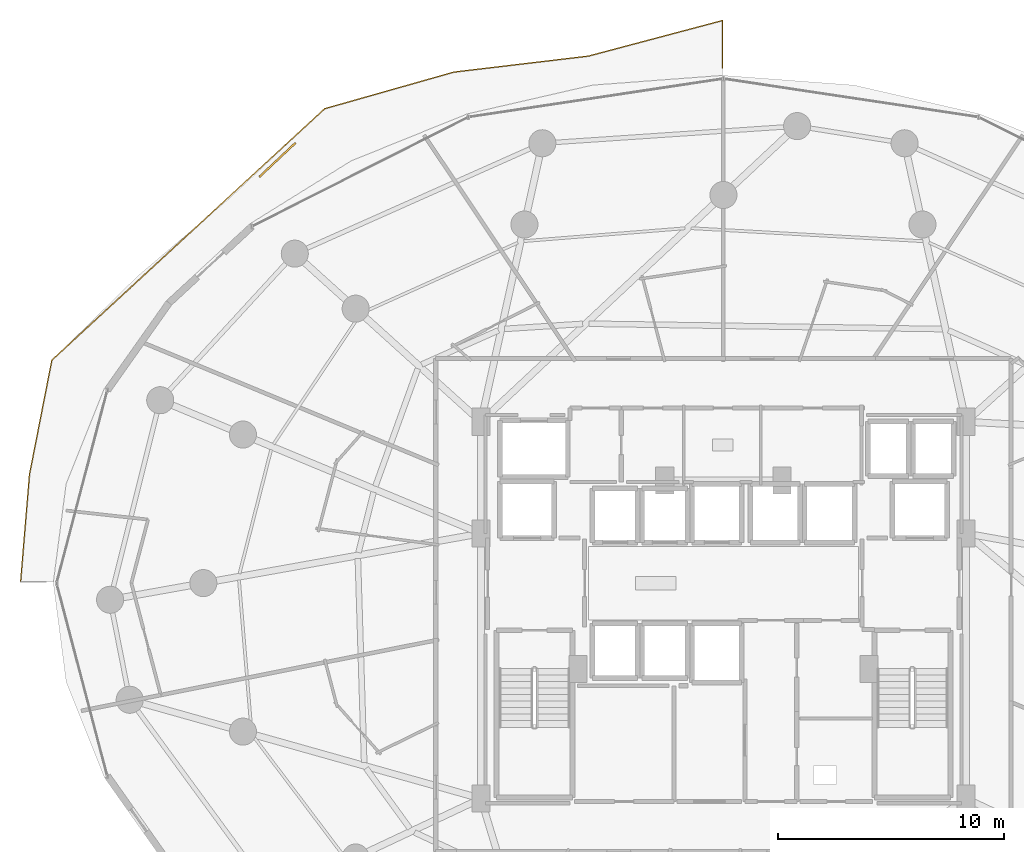
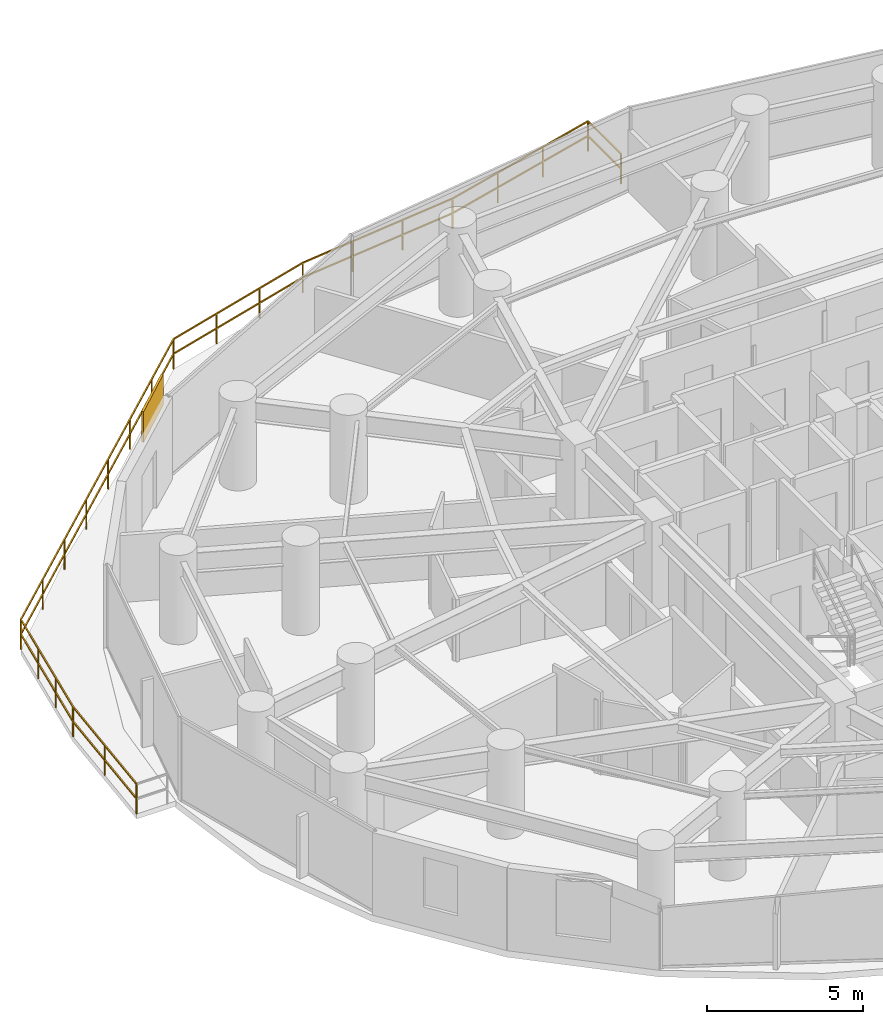
# One storey, part 34 of 35: 1 railing, 1 shading device.
"""IFC4 building model written with IfcOpenShell, lengths in metres."""

from ifc_helpers import new_model, si_unit, direction, frame, origin, origin_2d, place, context, subcontext, project, spatial, rectangle, extrude, material, type_object, element, save


model = new_model("IFC4")

# Units and contexts
model_context = context("Model", 3, precision=1e-05, world=origin(), true_north=direction((0.0, 1.0)))
body_context = subcontext(model_context, "Body", "Model", "MODEL_VIEW")
ifc_project = project(units=[si_unit("LENGTHUNIT", "METRE"), si_unit("AREAUNIT", "SQUARE_METRE"), si_unit("VOLUMEUNIT", "CUBIC_METRE"), si_unit("PLANEANGLEUNIT", "RADIAN"), si_unit("MASSUNIT", "GRAM", prefix="KILO")], contexts=[model_context])

# Site, building, storey
site_placement = place(None, origin())
site = spatial("IfcSite", under=ifc_project, at=site_placement, CompositionType="ELEMENT")
building_placement = place(site_placement, origin())
building = spatial("IfcBuilding", under=site, at=building_placement, Name="Vorneva Point Tower", CompositionType="ELEMENT")
storey_placement = place(building_placement, frame((0.0, 0.0, 52.0)))
storey = spatial("IfcBuildingStorey", under=building, at=storey_placement, Name="L13", CompositionType="ELEMENT", Elevation=52.0)

# Railing
ifc_material = material(Name="Pale anodised aluminium", Category="aluminium")
railing_type = type_object("IfcRailingType", Name="RL-BAL-1200", PredefinedType="BALUSTRADE", material=ifc_material)
railing_placement = place(storey_placement, frame((37.949951171875, 48.817138671875, 0.0)))
element("IfcRailing", 1, at=railing_placement, inside=storey, type_object=railing_type, Name="L13 Wave Balcony Balustrade NW.2", PredefinedType="BALUSTRADE", context=body_context, shape_type="SweptSolid", body=[
    extrude(rectangle(XDim=0.048095703125, YDim=0.048095703125, at=origin_2d()), frame((0.0, 0.0, 1.17578125), z_axis=(0.0, 1.0, 0.0), x_axis=(-1.0, 0.0, 0.0)), (0.0, 0.0, 1.0), 2.114501953125),
    extrude(rectangle(XDim=0.048095703125, YDim=0.048095703125, at=origin_2d()), frame((0.0, 0.0, 0.60009765625), z_axis=(0.0, 1.0, 0.0), x_axis=(-1.0, 0.0, 0.0)), (0.0, 0.0, 1.0), 2.114501953125),
    extrude(rectangle(XDim=0.048095703125, YDim=0.048095703125, at=origin_2d()), frame((0.0, 2.114501953125, 1.17578125), z_axis=(-0.966571808825, -0.256396057663, 0.0), x_axis=(0.256396057663, -0.966571808825, 0.0)), (0.0, 0.0, 1.0), 6.1435546875),
    extrude(rectangle(XDim=0.048095703125, YDim=0.048095703125, at=origin_2d()), frame((0.0, 2.114501953125, 0.60009765625), z_axis=(-0.966571808825, -0.256396057663, 0.0), x_axis=(0.256396057663, -0.966571808825, 0.0)), (0.0, 0.0, 1.0), 6.1435546875),
    extrude(rectangle(XDim=0.048095703125, YDim=0.048095703125, at=origin_2d()), frame((-5.938232421875, 0.539306640625, 1.17578125), z_axis=(-0.993006335019, -0.118061080008, 0.0), x_axis=(0.118061080008, -0.993006335019, 0.0)), (0.0, 0.0, 1.0), 6.003173828125),
    extrude(rectangle(XDim=0.048095703125, YDim=0.048095703125, at=origin_2d()), frame((-5.938232421875, 0.539306640625, 0.60009765625), z_axis=(-0.993006335019, -0.118061080008, 0.0), x_axis=(0.118061080008, -0.993006335019, 0.0)), (0.0, 0.0, 1.0), 6.003173828125),
    extrude(rectangle(XDim=0.048095703125, YDim=0.048095703125, at=origin_2d()), frame((-11.8994140625, -0.16943359375, 1.17578125), z_axis=(-0.962077917803, -0.272774779032, 0.0), x_axis=(0.272774779032, -0.962077917803, 0.0)), (0.0, 0.0, 1.0), 5.94921875),
    extrude(rectangle(XDim=0.048095703125, YDim=0.048095703125, at=origin_2d()), frame((-11.8994140625, -0.16943359375, 0.60009765625), z_axis=(-0.962077917803, -0.272774779032, 0.0), x_axis=(0.272774779032, -0.962077917803, 0.0)), (0.0, 0.0, 1.0), 5.94921875),
    extrude(rectangle(XDim=0.048095703125, YDim=0.048095703125, at=origin_2d()), frame((-17.623046875, -1.792236328125, 1.17578125), z_axis=(-0.73534569508, -0.677692193202, 0.0), x_axis=(0.677692193202, -0.73534569508, 0.0)), (0.0, 0.0, 1.0), 16.443115234375),
    extrude(rectangle(XDim=0.048095703125, YDim=0.048095703125, at=origin_2d()), frame((-17.623046875, -1.792236328125, 0.60009765625), z_axis=(-0.73534569508, -0.677692193202, 0.0), x_axis=(0.677692193202, -0.73534569508, 0.0)), (0.0, 0.0, 1.0), 16.443115234375),
    extrude(rectangle(XDim=0.048095703125, YDim=0.048095703125, at=origin_2d()), frame((-29.71435546875, -12.935546875, 1.17578125), z_axis=(-0.192193840782, -0.981356982736, 0.0), x_axis=(0.981356982736, -0.192193840782, 0.0)), (0.0, 0.0, 1.0), 5.1611328125),
    extrude(rectangle(XDim=0.048095703125, YDim=0.048095703125, at=origin_2d()), frame((-29.71435546875, -12.935546875, 0.60009765625), z_axis=(-0.192193840782, -0.981356982736, 0.0), x_axis=(0.981356982736, -0.192193840782, 0.0)), (0.0, 0.0, 1.0), 5.1611328125),
    extrude(rectangle(XDim=0.048095703125, YDim=0.048095703125, at=origin_2d()), frame((-30.706298828125, -18.00048828125, 1.17578125), z_axis=(-0.082487850113, -0.996592070299, 0.0), x_axis=(0.996592070299, -0.082487850113, 0.0)), (0.0, 0.0, 1.0), 4.782958984375),
    extrude(rectangle(XDim=0.048095703125, YDim=0.048095703125, at=origin_2d()), frame((-30.706298828125, -18.00048828125, 0.60009765625), z_axis=(-0.082487850113, -0.996592070299, 0.0), x_axis=(0.996592070299, -0.082487850113, 0.0)), (0.0, 0.0, 1.0), 4.782958984375),
    extrude(rectangle(XDim=0.0419921875, YDim=0.0419921875, at=origin_2d()), origin(), (0.0, 0.0, 1.0), 1.15185546875),
    extrude(rectangle(XDim=0.0419921875, YDim=0.0419921875, at=origin_2d()), frame((0.0, 2.114501953125, 0.0)), (0.0, 0.0, 1.0), 1.15185546875),
    extrude(rectangle(XDim=0.0419921875, YDim=0.0419921875, at=origin_2d()), frame((-1.9794921875, 1.58935546875, 0.0)), (0.0, 0.0, 1.0), 1.15185546875),
    extrude(rectangle(XDim=0.0419921875, YDim=0.0419921875, at=origin_2d()), frame((-3.958740234375, 1.064453125, 0.0)), (0.0, 0.0, 1.0), 1.15185546875),
    extrude(rectangle(XDim=0.0419921875, YDim=0.0419921875, at=origin_2d()), frame((-5.938232421875, 0.539306640625, 0.0)), (0.0, 0.0, 1.0), 1.15185546875),
    extrude(rectangle(XDim=0.0419921875, YDim=0.0419921875, at=origin_2d()), frame((-7.92529296875, 0.302978515625, 0.0)), (0.0, 0.0, 1.0), 1.15185546875),
    extrude(rectangle(XDim=0.0419921875, YDim=0.0419921875, at=origin_2d()), frame((-9.912353515625, 0.06689453125, 0.0)), (0.0, 0.0, 1.0), 1.15185546875),
    extrude(rectangle(XDim=0.0419921875, YDim=0.0419921875, at=origin_2d()), frame((-11.8994140625, -0.16943359375, 0.0)), (0.0, 0.0, 1.0), 1.15185546875),
    extrude(rectangle(XDim=0.0419921875, YDim=0.0419921875, at=origin_2d()), frame((-13.807373046875, -0.71044921875, 0.0)), (0.0, 0.0, 1.0), 1.15185546875),
    extrude(rectangle(XDim=0.0419921875, YDim=0.0419921875, at=origin_2d()), frame((-15.715087890625, -1.251220703125, 0.0)), (0.0, 0.0, 1.0), 1.15185546875),
    extrude(rectangle(XDim=0.0419921875, YDim=0.0419921875, at=origin_2d()), frame((-17.623046875, -1.792236328125, 0.0)), (0.0, 0.0, 1.0), 1.15185546875),
    extrude(rectangle(XDim=0.0419921875, YDim=0.0419921875, at=origin_2d()), frame((-19.350341796875, -3.384033203125, 0.0)), (0.0, 0.0, 1.0), 1.15185546875),
    extrude(rectangle(XDim=0.0419921875, YDim=0.0419921875, at=origin_2d()), frame((-21.07763671875, -4.97607421875, 0.0)), (0.0, 0.0, 1.0), 1.15185546875),
    extrude(rectangle(XDim=0.0419921875, YDim=0.0419921875, at=origin_2d()), frame((-22.804931640625, -6.56787109375, 0.0)), (0.0, 0.0, 1.0), 1.15185546875),
    extrude(rectangle(XDim=0.0419921875, YDim=0.0419921875, at=origin_2d()), frame((-24.532470703125, -8.159912109375, 0.0)), (0.0, 0.0, 1.0), 1.15185546875),
    extrude(rectangle(XDim=0.0419921875, YDim=0.0419921875, at=origin_2d()), frame((-26.259765625, -9.751708984375, 0.0)), (0.0, 0.0, 1.0), 1.15185546875),
    extrude(rectangle(XDim=0.0419921875, YDim=0.0419921875, at=origin_2d()), frame((-27.987060546875, -11.34375, 0.0)), (0.0, 0.0, 1.0), 1.15185546875),
    extrude(rectangle(XDim=0.0419921875, YDim=0.0419921875, at=origin_2d()), frame((-29.71435546875, -12.935546875, 0.0)), (0.0, 0.0, 1.0), 1.15185546875),
    extrude(rectangle(XDim=0.0419921875, YDim=0.0419921875, at=origin_2d()), frame((-30.044921875, -14.623779296875, 0.0)), (0.0, 0.0, 1.0), 1.15185546875),
    extrude(rectangle(XDim=0.0419921875, YDim=0.0419921875, at=origin_2d()), frame((-30.375732421875, -16.312255859375, 0.0)), (0.0, 0.0, 1.0), 1.15185546875),
    extrude(rectangle(XDim=0.0419921875, YDim=0.0419921875, at=origin_2d()), frame((-30.706298828125, -18.00048828125, 0.0)), (0.0, 0.0, 1.0), 1.15185546875),
    extrude(rectangle(XDim=0.0419921875, YDim=0.0419921875, at=origin_2d()), frame((-30.903564453125, -20.3837890625, 0.0)), (0.0, 0.0, 1.0), 1.15185546875),
    extrude(rectangle(XDim=0.0419921875, YDim=0.0419921875, at=origin_2d()), frame((-31.100830078125, -22.76708984375, 0.0)), (0.0, 0.0, 1.0), 1.15185546875),
])

# Shading device
shading_device_type = type_object("IfcShadingDeviceType", Name="SHD-JAL-1200", PredefinedType="JALOUSIE", material=ifc_material)
shading_device_placement = place(storey_placement, frame((18.23388671875, 44.755615234375, -0.02001953125), z_axis=(0.0, 0.0, 1.0), x_axis=(-0.728538369925, -0.685004995271, 0.0)))
element("IfcShadingDevice", 2, at=shading_device_placement, inside=storey, type_object=shading_device_type, Name="L13 Balcony Vertical-Greenery Planter Screen NW.2", PredefinedType="JALOUSIE", context=body_context, shape_type="SweptSolid", body=[
    extrude(rectangle(XDim=2.199951171875, YDim=0.080078125, at=origin_2d()), origin(), (0.0, 0.0, 1.0), 1.199951171875),
])

save(model, "model.ifc")
